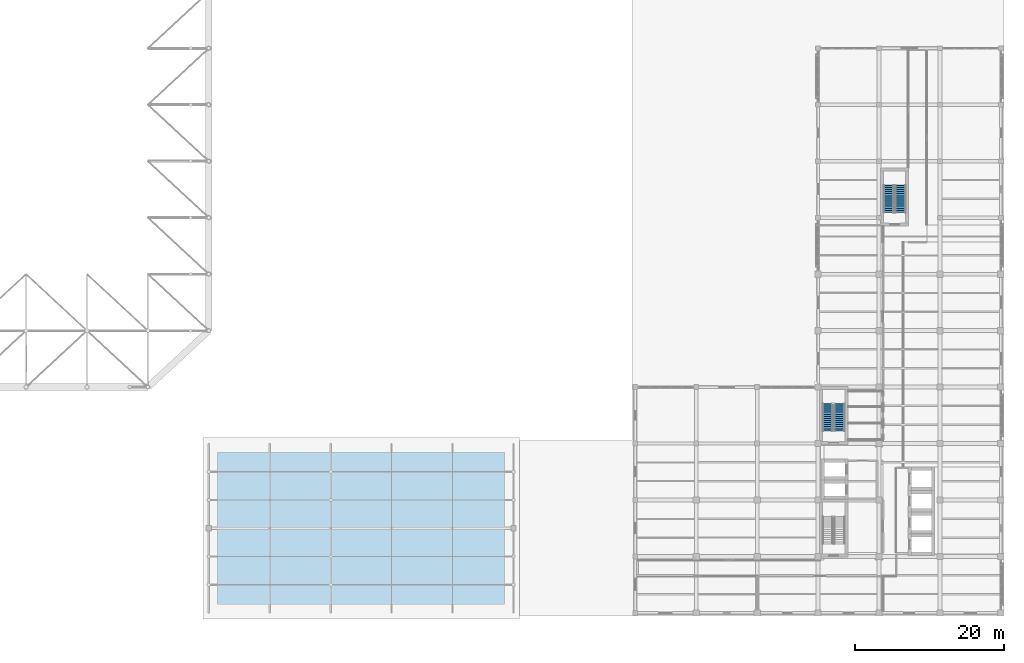
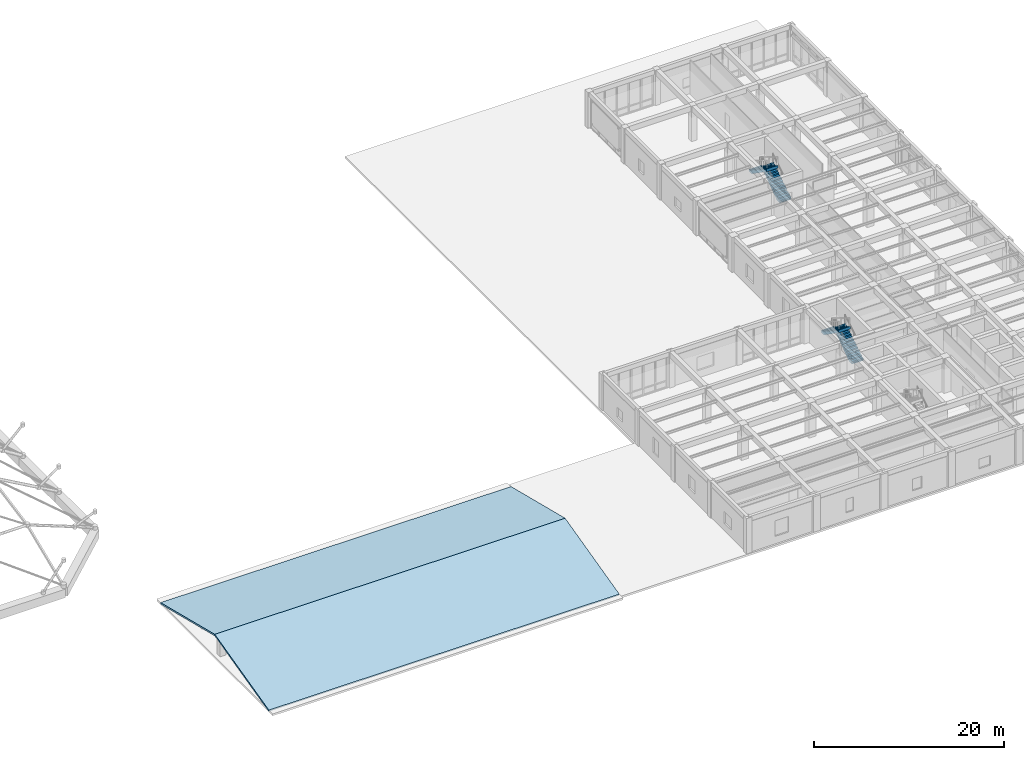
# One storey, part 18 of 23: 4 stair flights, 2 roofs, 2 elements without a shape of their own.
"""IFC4 building model written with IfcOpenShell, lengths in metres."""

import ifcopenshell
import ifcopenshell.guid

model = None  # the IFC model being written
_history = None  # IfcOwnerHistory: only IFC2X3 demands one
_inside = {}  # id of a spatial element -> (the spatial element, [elements in it])
_under = {}  # id of a project, library or spatial element -> (it, [spatial elements below it])
_declared = {}  # id of a project -> (the project, [libraries it declares])
_typed = {}  # id of a type object -> (the type object, [elements of that type])
_made_of = {}  # id of a material, layer set ... -> (it, [elements and type objects made of it])


def new_model(schema):
    """Start an empty IFC model of exactly this schema.

    Asked for "IFC4X3", IfcOpenShell would pick the latest addendum, in which some entities
    have other attributes; the version numbers below select the first issue.
    IFC2X3 requires an IfcOwnerHistory on every rooted entity: one is made here for all.
    """
    global model, _history
    if schema == "IFC4X3":
        model = ifcopenshell.file(schema_version=(4, 3, 0, 0))
    else:
        model = ifcopenshell.file(schema=schema)
    _inside.clear()
    _under.clear()
    _declared.clear()
    _typed.clear()
    _made_of.clear()
    _history = None
    if model.schema == "IFC2X3":
        org = make("IfcOrganization", Name="unknown")
        user = make(
            "IfcPersonAndOrganization",
            ThePerson=make("IfcPerson", FamilyName="unknown"),
            TheOrganization=org,
        )
        app = make(
            "IfcApplication",
            ApplicationDeveloper=org,
            Version="unknown",
            ApplicationFullName="unknown",
            ApplicationIdentifier="unknown",
        )
        _history = make(
            "IfcOwnerHistory",
            OwningUser=user,
            OwningApplication=app,
            ChangeAction="ADDED",
            CreationDate=0,
        )
    return model


def make(cls, **values):
    """One entity of the class cls with the attributes given. An attribute that is None is left unset."""
    return model.create_entity(
        cls, **{name: value for name, value in values.items() if value is not None}
    )


def rooted(cls, **values):
    """An entity with a GlobalId (a new one), such as an element, a storey or a relation."""
    return make(cls, GlobalId=ifcopenshell.guid.new(), OwnerHistory=_history, **values)


def si_unit(unit_type, name, prefix=None):
    """IfcSIUnit, for example si_unit("LENGTHUNIT", "METRE", prefix="MILLI")."""
    return make("IfcSIUnit", UnitType=unit_type, Prefix=prefix, Name=name)


def assignment(units):
    """IfcUnitAssignment: the units of a project."""
    return None if units is None else make("IfcUnitAssignment", Units=units)


def point(xyz):
    """IfcCartesianPoint."""
    return None if xyz is None else make("IfcCartesianPoint", Coordinates=xyz)


def direction(xyz):
    """IfcDirection."""
    return None if xyz is None else make("IfcDirection", DirectionRatios=xyz)


def frame(location, z_axis=None, x_axis=None):
    """IfcAxis2Placement3D, a coordinate frame: its origin and axes. An axis left out is left unset."""
    return make(
        "IfcAxis2Placement3D",
        Location=point(location),
        Axis=direction(z_axis),
        RefDirection=direction(x_axis),
    )


def origin():
    """The frame at (0, 0, 0) with its axes left unset."""
    return frame((0.0, 0.0, 0.0))


def place(relative_to, where):
    """IfcLocalPlacement: puts the frame where relative to a parent placement (None: the world)."""
    return make(
        "IfcLocalPlacement", PlacementRelTo=relative_to, RelativePlacement=where
    )


def context(
    kind, dimensions, precision=None, world=None, true_north=None, identifier=None
):
    """IfcGeometricRepresentationContext, for example the 3D "Model" context."""
    return make(
        "IfcGeometricRepresentationContext",
        ContextIdentifier=identifier,
        ContextType=kind,
        CoordinateSpaceDimension=dimensions,
        Precision=precision,
        WorldCoordinateSystem=world,
        TrueNorth=true_north,
    )


def subcontext(parent, identifier, kind, view, scale=None):
    """IfcGeometricRepresentationSubContext, for example "Body" below "Model"."""
    return make(
        "IfcGeometricRepresentationSubContext",
        ContextIdentifier=identifier,
        ContextType=kind,
        ParentContext=parent,
        TargetScale=scale,
        TargetView=view,
    )


def project(units=None, contexts=None):
    """IfcProject with its units and contexts."""
    return rooted(
        "IfcProject",
        Name="project",
        RepresentationContexts=contexts,
        UnitsInContext=assignment(units),
    )


def spatial(cls, under=None, at=None, **own):
    """A site, building, storey or space (cls), placed at a placement, below another one or the project."""
    s = rooted(cls, ObjectPlacement=at, **own)
    if under is not None:
        _under.setdefault(under.id(), (under, []))[1].append(s)
    return s


def polyline(points):
    """IfcPolyline through the points."""
    return make("IfcPolyline", Points=[point(p) for p in points])


def outline(outer, holes=None, kind="AREA"):
    """IfcArbitraryClosedProfileDef: a profile drawn as a closed curve; with holes, ...WithVoids."""
    if holes is None:
        return make("IfcArbitraryClosedProfileDef", ProfileType=kind, OuterCurve=outer)
    return make(
        "IfcArbitraryProfileDefWithVoids",
        ProfileType=kind,
        OuterCurve=outer,
        InnerCurves=holes,
    )


def extrude(swept, where, along, depth):
    """IfcExtrudedAreaSolid: the profile swept, set in the frame where, extruded along a direction by depth."""
    return make(
        "IfcExtrudedAreaSolid",
        SweptArea=swept,
        Position=where,
        ExtrudedDirection=direction(along),
        Depth=depth,
    )


def shape(context_of_items, identifier, shape_type, items):
    """IfcShapeRepresentation: the items that make up one representation, for example the "Body"."""
    return make(
        "IfcShapeRepresentation",
        ContextOfItems=context_of_items,
        RepresentationIdentifier=identifier,
        RepresentationType=shape_type,
        Items=items,
    )


def material(Name=None, Category=None):
    """IfcMaterial."""
    return make("IfcMaterial", Name=Name, Category=Category)


def layer(
    of_material, thickness, ventilated=None, Name=None, Category=None, Priority=None
):
    """IfcMaterialLayer: one layer of a wall or slab, of a material (None: an air gap)."""
    return make(
        "IfcMaterialLayer",
        Material=of_material,
        LayerThickness=thickness,
        IsVentilated=ventilated,
        Name=Name,
        Category=Category,
        Priority=Priority,
    )


def layer_set(layers, Name=None):
    """IfcMaterialLayerSet."""
    return make("IfcMaterialLayerSet", MaterialLayers=layers, LayerSetName=Name)


def made_of(thing, what):
    """Note that an element or type object is made of a material, layer set ...; save() writes the relation."""
    if what is not None:
        _made_of.setdefault(what.id(), (what, []))[1].append(thing)
    return thing


def type_object(cls, material=None, **own):
    """A type object (cls), such as IfcWallType, which elements share."""
    return made_of(rooted(cls, **own), material)


def element(
    cls,
    number,
    at=None,
    inside=None,
    cuts=None,
    type_object=None,
    material=None,
    context=None,
    identifier="Body",
    shape_type=None,
    held_by="IfcProductDefinitionShape",
    body=None,
    shapes=None,
    **own,
):
    """One element of the class cls, such as IfcWall. Its Tag is "e" and its number.

    at: its placement. inside: the storey or other place that contains it. cuts: it is an
    opening in that element (IfcRelVoidsElement). A single representation is given by context,
    identifier, shape_type and body (its items); several are given by shapes. held_by: the class
    of the entity that holds the representations. save() writes the other relations.
    """
    e = rooted(cls, Tag="e%d" % number, ObjectPlacement=at, **own)
    if body is not None:
        shapes = [shape(context, identifier, shape_type, body)]
    if shapes is not None:
        e.Representation = make(held_by, Representations=shapes)
    if inside is not None:
        _inside.setdefault(inside.id(), (inside, []))[1].append(e)
    if cuts is not None:
        rooted(
            "IfcRelVoidsElement", RelatingBuildingElement=cuts, RelatedOpeningElement=e
        )
    if type_object is not None:
        _typed.setdefault(type_object.id(), (type_object, []))[1].append(e)
    return made_of(e, material)


def aggregate(whole, parts):
    """IfcRelAggregates: a whole, such as a stair, and the parts it consists of."""
    return rooted("IfcRelAggregates", RelatingObject=whole, RelatedObjects=parts)


def save(model, path):
    """Write the relations noted so far, then the file.

    IfcRelAggregates (storeys below a building ...), IfcRelContainedInSpatialStructure (elements
    in a storey), IfcRelDefinesByType, IfcRelAssociatesMaterial and IfcRelDeclares: one each for
    every whole, place, type object, material and project.
    """
    for whole, parts in _under.values():
        aggregate(whole, parts)
    for where, things in _inside.values():
        rooted(
            "IfcRelContainedInSpatialStructure",
            RelatedElements=things,
            RelatingStructure=where,
        )
    for kind, things in _typed.values():
        rooted("IfcRelDefinesByType", RelatedObjects=things, RelatingType=kind)
    for what, things in _made_of.values():
        rooted("IfcRelAssociatesMaterial", RelatedObjects=things, RelatingMaterial=what)
    for by, libraries in _declared.values():
        rooted("IfcRelDeclares", RelatingContext=by, RelatedDefinitions=libraries)
    model.write(path)


model = new_model("IFC4")

# Units and contexts
model_context = context("Model", 3, precision=1e-05, world=origin(), true_north=direction((0.0, 1.0)))
body_context = subcontext(model_context, "Body", "Model", "MODEL_VIEW")
ifc_project = project(units=[si_unit("LENGTHUNIT", "METRE"), si_unit("AREAUNIT", "SQUARE_METRE"), si_unit("VOLUMEUNIT", "CUBIC_METRE"), si_unit("PLANEANGLEUNIT", "RADIAN"), si_unit("MASSUNIT", "GRAM", prefix="KILO")], contexts=[model_context])

# Site, building, storey
site_placement = place(None, origin())
site = spatial("IfcSite", under=ifc_project, at=site_placement, CompositionType="ELEMENT")
building_placement = place(site_placement, origin())
building = spatial("IfcBuilding", under=site, at=building_placement, Name="Qandaris Square Conservatory and Botanical Centre", CompositionType="ELEMENT")
storey_placement = place(building_placement, frame((0.0, 0.0, 15.0)))
storey = spatial("IfcBuildingStorey", under=building, at=storey_placement, Name="L03", CompositionType="ELEMENT", Elevation=15.0)

# Stair, stair flights
ifc_material_1 = material(Name="Concrete C40/50", Category="concrete")
stair_type = type_object("IfcStairType", Name="Core Escape Scissor Stair", PredefinedType="HALF_TURN_STAIR", material=ifc_material_1)
stair_1_placement = place(storey_placement, origin())
stair_1 = element("IfcStair", 1, at=stair_1_placement, inside=storey, type_object=stair_type, Name="L03 Tower North Exit Stair ST-2", PredefinedType="HALF_TURN_STAIR")
ifc_material_2 = material(Name="Precast concrete C40/50", Category="concrete")
stair_flight_type = type_object("IfcStairFlightType", Name="RC Precast Stair Flight 1400mm", PredefinedType="STRAIGHT", material=ifc_material_2)
stair_flight_1_placement = place(storey_placement, frame((142.10009765625, 41.10009765625, 0.0), z_axis=(0.0, 0.0, 1.0), x_axis=(0.0, 1.0, 0.0)))
stair_flight_1 = element("IfcStairFlight", 2, at=stair_flight_1_placement, type_object=stair_flight_type, Name="ST-2 flight 1", NumberOfRisers=14, NumberOfTreads=13, PredefinedType="STRAIGHT", RiserHeight=0.171428571, TreadLength=0.28, context=body_context, shape_type="SweptSolid", body=[
    extrude(outline(polyline([(-0.034912109375, 0.0), (0.0, 0.0), (0.0, 0.17138671875), (0.280029296875, 0.17138671875), (0.280029296875, 0.3427734375), (0.56005859375, 0.3427734375), (0.56005859375, 0.514404296875), (0.840087890625, 0.514404296875), (0.840087890625, 0.685791015625), (1.1201171875, 0.685791015625), (1.1201171875, 0.857177734375), (1.39990234375, 0.857177734375), (1.39990234375, 1.028564453125), (1.679931640625, 1.028564453125), (1.679931640625, 1.199951171875), (1.9599609375, 1.199951171875), (1.9599609375, 1.371337890625), (2.239990234375, 1.371337890625), (2.239990234375, 1.54296875), (2.52001953125, 1.54296875), (2.52001953125, 1.71435546875), (2.800048828125, 1.71435546875), (2.800048828125, 1.8857421875), (3.080078125, 1.8857421875), (3.080078125, 2.05712890625), (3.360107421875, 2.05712890625), (3.360107421875, 2.228515625), (3.639892578125, 2.228515625), (3.639892578125, 2.39990234375), (3.6748046875, 2.39990234375), (3.6748046875, 2.052734375), (3.639892578125, 2.052734375), (0.515869140625, -0.139892578125), (-0.034912109375, -0.139892578125), (-0.034912109375, 0.0)])), frame((0.0, 0.699951171875, 0.0), z_axis=(0.0, -1.0, 0.0), x_axis=(1.0, 0.0, 0.0)), (0.0, 0.0, 1.0), 1.39990234375),
])
stair_flight_2_placement = place(storey_placement, frame((140.5, 44.739990234375, 2.39990234375), z_axis=(0.0, 0.0, 1.0), x_axis=(0.0, -1.0, 0.0)))
stair_flight_2 = element("IfcStairFlight", 3, at=stair_flight_2_placement, type_object=stair_flight_type, Name="ST-2 flight 2", NumberOfRisers=14, NumberOfTreads=13, PredefinedType="STRAIGHT", RiserHeight=0.171428571, TreadLength=0.28, context=body_context, shape_type="SweptSolid", body=[
    extrude(outline(polyline([(-0.034912109375, 0.0), (0.0, 0.0), (0.0, 0.17138671875), (0.280029296875, 0.17138671875), (0.280029296875, 0.3427734375), (0.56005859375, 0.3427734375), (0.56005859375, 0.514404296875), (0.840087890625, 0.514404296875), (0.840087890625, 0.685791015625), (1.1201171875, 0.685791015625), (1.1201171875, 0.857177734375), (1.39990234375, 0.857177734375), (1.39990234375, 1.028564453125), (1.679931640625, 1.028564453125), (1.679931640625, 1.199951171875), (1.9599609375, 1.199951171875), (1.9599609375, 1.371337890625), (2.239990234375, 1.371337890625), (2.239990234375, 1.54296875), (2.52001953125, 1.54296875), (2.52001953125, 1.71435546875), (2.800048828125, 1.71435546875), (2.800048828125, 1.8857421875), (3.080078125, 1.8857421875), (3.080078125, 2.05712890625), (3.360107421875, 2.05712890625), (3.360107421875, 2.228515625), (3.639892578125, 2.228515625), (3.639892578125, 2.39990234375), (3.6748046875, 2.39990234375), (3.6748046875, 2.052734375), (3.639892578125, 2.052734375), (0.515869140625, -0.139892578125), (-0.034912109375, -0.139892578125), (-0.034912109375, 0.0)])), frame((0.0, 0.699951171875, 0.0), z_axis=(0.0, -1.0, 0.0), x_axis=(1.0, 0.0, 0.0)), (0.0, 0.0, 1.0), 1.39990234375),
])
aggregate(stair_1, [stair_flight_1, stair_flight_2])

stair_2_placement = place(storey_placement, origin())
stair_2 = element("IfcStair", 4, at=stair_2_placement, inside=storey, type_object=stair_type, Name="L03 Herbarium North Exit Stair ST-3", PredefinedType="HALF_TURN_STAIR")
stair_flight_3_placement = place(storey_placement, frame((150.300048828125, 70.5, 0.0), z_axis=(0.0, 0.0, 1.0), x_axis=(0.0, 1.0, 0.0)))
stair_flight_3 = element("IfcStairFlight", 5, at=stair_flight_3_placement, type_object=stair_flight_type, Name="ST-3 flight 1", NumberOfRisers=14, NumberOfTreads=13, PredefinedType="STRAIGHT", RiserHeight=0.171428571, TreadLength=0.28, context=body_context, shape_type="SweptSolid", body=[
    extrude(outline(polyline([(-0.034912109375, 0.0), (0.0, 0.0), (0.0, 0.17138671875), (0.280029296875, 0.17138671875), (0.280029296875, 0.3427734375), (0.56005859375, 0.3427734375), (0.56005859375, 0.514404296875), (0.840087890625, 0.514404296875), (0.840087890625, 0.685791015625), (1.1201171875, 0.685791015625), (1.1201171875, 0.857177734375), (1.39990234375, 0.857177734375), (1.39990234375, 1.028564453125), (1.679931640625, 1.028564453125), (1.679931640625, 1.199951171875), (1.9599609375, 1.199951171875), (1.9599609375, 1.371337890625), (2.239990234375, 1.371337890625), (2.239990234375, 1.54296875), (2.52001953125, 1.54296875), (2.52001953125, 1.71435546875), (2.800048828125, 1.71435546875), (2.800048828125, 1.8857421875), (3.080078125, 1.8857421875), (3.080078125, 2.05712890625), (3.360107421875, 2.05712890625), (3.360107421875, 2.228515625), (3.639892578125, 2.228515625), (3.639892578125, 2.39990234375), (3.6748046875, 2.39990234375), (3.6748046875, 2.052734375), (3.639892578125, 2.052734375), (0.515869140625, -0.139892578125), (-0.034912109375, -0.139892578125), (-0.034912109375, 0.0)])), frame((0.0, 0.699951171875, 0.0), z_axis=(0.0, -1.0, 0.0), x_axis=(1.0, 0.0, 0.0)), (0.0, 0.0, 1.0), 1.39990234375),
])
stair_flight_4_placement = place(storey_placement, frame((148.699951171875, 74.139892578125, 2.39990234375), z_axis=(0.0, 0.0, 1.0), x_axis=(0.0, -1.0, 0.0)))
stair_flight_4 = element("IfcStairFlight", 6, at=stair_flight_4_placement, type_object=stair_flight_type, Name="ST-3 flight 2", NumberOfRisers=14, NumberOfTreads=13, PredefinedType="STRAIGHT", RiserHeight=0.171428571, TreadLength=0.28, context=body_context, shape_type="SweptSolid", body=[
    extrude(outline(polyline([(-0.034912109375, 0.0), (0.0, 0.0), (0.0, 0.17138671875), (0.280029296875, 0.17138671875), (0.280029296875, 0.3427734375), (0.56005859375, 0.3427734375), (0.56005859375, 0.514404296875), (0.840087890625, 0.514404296875), (0.840087890625, 0.685791015625), (1.1201171875, 0.685791015625), (1.1201171875, 0.857177734375), (1.39990234375, 0.857177734375), (1.39990234375, 1.028564453125), (1.679931640625, 1.028564453125), (1.679931640625, 1.199951171875), (1.9599609375, 1.199951171875), (1.9599609375, 1.371337890625), (2.239990234375, 1.371337890625), (2.239990234375, 1.54296875), (2.52001953125, 1.54296875), (2.52001953125, 1.71435546875), (2.800048828125, 1.71435546875), (2.800048828125, 1.8857421875), (3.080078125, 1.8857421875), (3.080078125, 2.05712890625), (3.360107421875, 2.05712890625), (3.360107421875, 2.228515625), (3.639892578125, 2.228515625), (3.639892578125, 2.39990234375), (3.6748046875, 2.39990234375), (3.6748046875, 2.052734375), (3.639892578125, 2.052734375), (0.515869140625, -0.139892578125), (-0.034912109375, -0.139892578125), (-0.034912109375, 0.0)])), frame((0.0, 0.699951171875, 0.0), z_axis=(0.0, -1.0, 0.0), x_axis=(1.0, 0.0, 0.0)), (0.0, 0.0, 1.0), 1.39990234375),
])
aggregate(stair_2, [stair_flight_3, stair_flight_4])

# Roofs
ifc_layer = layer(ifc_material_2, 0.199951171875)
ifc_layer_set = layer_set([ifc_layer], Name="Precast concrete C40/50")
roof_type = type_object("IfcRoofType", Name="Prairie Overhanging Hipped Roof", PredefinedType="HIP_ROOF", material=ifc_layer_set)
for number, where, z_axis, x_axis, name in (
    (7, (56.39990234375, 16.60009765625, 0.0), (0.0, -0.241743427742, 0.970340205878), (1.0, 0.0, 0.0), "Auditorium South Prairie Sloped Roof"),
    (8, (99.0, 39.39990234375, 0.0), (0.0, 0.241743427742, 0.970340205878), (-1.0, 0.0, 0.0), "Auditorium North Prairie Sloped Roof"),
):
    element("IfcRoof", number, at=place(storey_placement, frame(where, z_axis=z_axis, x_axis=x_axis)), inside=storey, type_object=roof_type, Name=name, PredefinedType="HIP_ROOF", context=body_context, shape_type="SweptSolid", body=[
        extrude(outline(polyline([(0.0, 0.0), (42.60009765625, 0.0), (42.60009765625, 11.748356168992816), (0.0, 11.748356168992816), (0.0, 0.0)])), origin(), (0.0, 0.0, -1.0), 0.199951171875),
    ])

save(model, "model.ifc")
